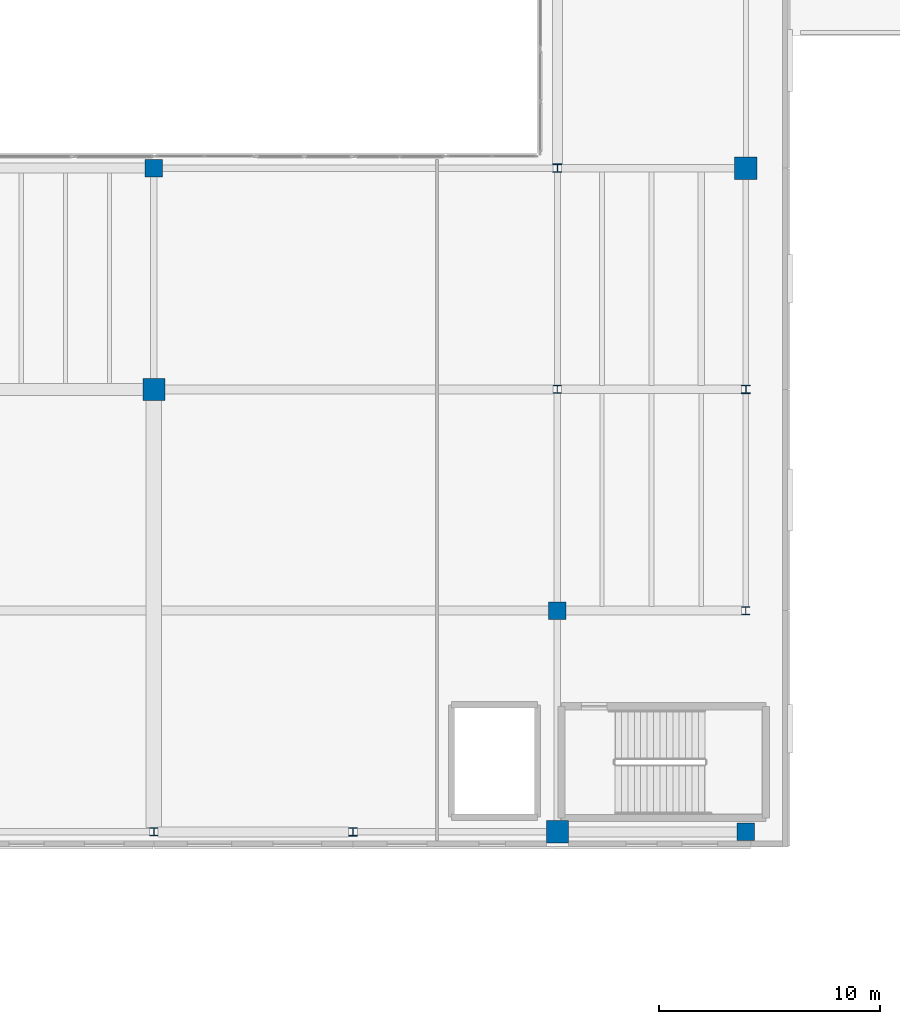
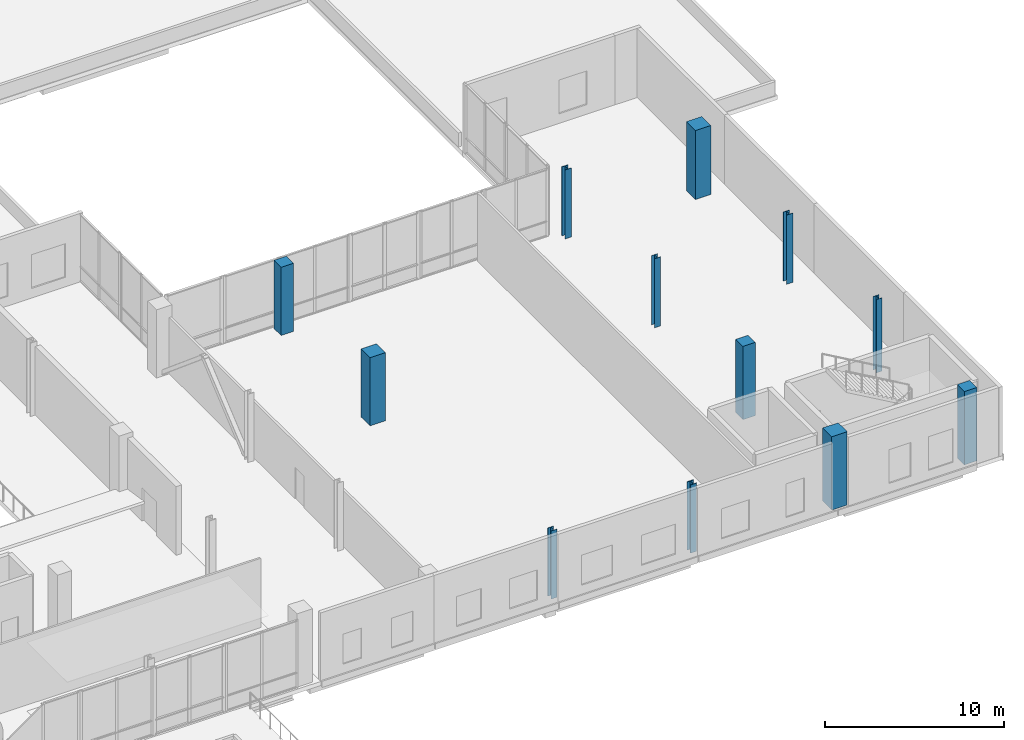
# One storey, part 9 of 60: 12 columns.
"""IFC4 building model written with IfcOpenShell, lengths in metres."""

from ifc_helpers import new_model, si_unit, direction, frame, origin, origin_2d, place, context, subcontext, project, spatial, rectangle, i_section, extrude, material, material_profile, profile_set, type_object, element, save


model = new_model("IFC4")

# Units and contexts
model_context = context("Model", 3, precision=1e-05, world=origin(), true_north=direction((0.0, 1.0)))
body_context = subcontext(model_context, "Body", "Model", "MODEL_VIEW")
ifc_project = project(units=[si_unit("LENGTHUNIT", "METRE"), si_unit("AREAUNIT", "SQUARE_METRE"), si_unit("VOLUMEUNIT", "CUBIC_METRE"), si_unit("PLANEANGLEUNIT", "RADIAN"), si_unit("MASSUNIT", "GRAM", prefix="KILO")], contexts=[model_context])

# Site, building, storey
site_placement = place(None, origin())
site = spatial("IfcSite", under=ifc_project, at=site_placement, CompositionType="ELEMENT")
building_placement = place(site_placement, origin())
building = spatial("IfcBuilding", under=site, at=building_placement, Name="Trimount Lyric Opera House", CompositionType="ELEMENT")
storey_placement = place(building_placement, frame((0.0, 0.0, 15.0)))
storey = spatial("IfcBuildingStorey", under=building, at=storey_placement, Name="L03", CompositionType="ELEMENT", Elevation=15.0)

# Columns
ifc_material_1 = material(Name="Steel ASTM A992 Grade 50", Category="steel")
ifc_material_profile_1 = material_profile(ifc_material_1, i_section(OverallWidth=0.39892578125, OverallDepth=0.385986328125, WebThickness=0.02099609375, FlangeThickness=0.033203125, FilletRadius=0.01611328125, at=origin_2d()), Name="W14X176")
ifc_profile_set_1 = profile_set([ifc_material_profile_1], Name="Steel ASTM A992 Grade 50")
column_type_1 = type_object("IfcColumnType", Name="C-03", PredefinedType="COLUMN", material=ifc_profile_set_1)
column_1_placement = place(storey_placement, frame((139.0, 44.0, 0.0), z_axis=(0.0, 0.0, 1.0), x_axis=(1.0, 0.0, 0.0)))
element("IfcColumn", 1, at=column_1_placement, inside=storey, type_object=column_type_1, Name="L03 column 16/F", PredefinedType="COLUMN", context=body_context, shape_type="SweptSolid", body=[
    extrude(i_section(OverallWidth=0.39892578125, OverallDepth=0.385986328125, WebThickness=0.02099609375, FlangeThickness=0.033203125, FilletRadius=0.01611328125, at=origin_2d()), origin(), (0.0, 0.0, 1.0), 4.64990234375),
])
for number, where, z_axis, x_axis, name in (
    (2, (148.239990234375, 74.0, 0.0), (0.0, 0.0, 1.0), (1.0, 0.0, 0.0), "L03 column 17/J"),
    (3, (156.760009765625, 64.0, 0.0), (0.0, 0.0, 1.0), (1.0, 0.0, 0.0), "L03 column 18/H"),
):
    element("IfcColumn", number, at=place(storey_placement, frame(where, z_axis=z_axis, x_axis=x_axis)), inside=storey, type_object=column_type_1, Name=name, PredefinedType="COLUMN", context=body_context, shape_type="SweptSolid", body=[
        extrude(i_section(OverallWidth=0.39892578125, OverallDepth=0.385986328125, WebThickness=0.02099609375, FlangeThickness=0.033203125, FilletRadius=0.01611328125, at=origin_2d()), origin(), (0.0, 0.0, 1.0), 4.7099609375),
    ])
ifc_material_2 = material(Name="Steel ASTM A992 Grade 50", Category="steel")
ifc_material_profile_2 = material_profile(ifc_material_2, i_section(OverallWidth=0.373046875, OverallDepth=0.367919921875, WebThickness=0.014892578125, FlangeThickness=0.02392578125, FilletRadius=0.014892578125, at=origin_2d()), Name="W14X120")
ifc_profile_set_2 = profile_set([ifc_material_profile_2], Name="Steel ASTM A992 Grade 50")
column_type_2 = type_object("IfcColumnType", Name="C-08", PredefinedType="COLUMN", material=ifc_profile_set_2)
column_2_placement = place(storey_placement, frame((130.0, 44.0, 0.0), z_axis=(0.0, 0.0, 1.0), x_axis=(1.0, 0.0, 0.0)))
element("IfcColumn", 4, at=column_2_placement, inside=storey, type_object=column_type_2, Name="L03 column 15/F", PredefinedType="COLUMN", context=body_context, shape_type="SweptSolid", body=[
    extrude(i_section(OverallWidth=0.373046875, OverallDepth=0.367919921875, WebThickness=0.014892578125, FlangeThickness=0.02392578125, FilletRadius=0.014892578125, at=origin_2d()), origin(), (0.0, 0.0, 1.0), 4.64990234375),
])
column_3_placement = place(storey_placement, frame((148.239990234375, 64.0, 0.0), z_axis=(0.0, 0.0, 1.0), x_axis=(1.0, 0.0, 0.0)))
element("IfcColumn", 5, at=column_3_placement, inside=storey, type_object=column_type_2, Name="L03 column 17/H", PredefinedType="COLUMN", context=body_context, shape_type="SweptSolid", body=[
    extrude(i_section(OverallWidth=0.373046875, OverallDepth=0.367919921875, WebThickness=0.014892578125, FlangeThickness=0.02392578125, FilletRadius=0.014892578125, at=origin_2d()), origin(), (0.0, 0.0, 1.0), 4.7099609375),
])
column_4_placement = place(storey_placement, frame((156.760009765625, 54.0, 0.0), z_axis=(0.0, 0.0, 1.0), x_axis=(1.0, 0.0, 0.0)))
element("IfcColumn", 6, at=column_4_placement, inside=storey, type_object=column_type_2, Name="L03 column 18/G", PredefinedType="COLUMN", context=body_context, shape_type="SweptSolid", body=[
    extrude(i_section(OverallWidth=0.373046875, OverallDepth=0.367919921875, WebThickness=0.014892578125, FlangeThickness=0.02392578125, FilletRadius=0.014892578125, at=origin_2d()), origin(), (0.0, 0.0, 1.0), 5.0),
])
ifc_material_3 = material(Name="Concrete C50/60", Category="concrete")
ifc_material_profile_3 = material_profile(ifc_material_3, rectangle(XDim=1.0, YDim=1.0, at=origin_2d()), Name="RC1000X1000")
ifc_profile_set_3 = profile_set([ifc_material_profile_3], Name="Concrete C50/60")
column_type_3 = type_object("IfcColumnType", Name="C-12", PredefinedType="COLUMN", material=ifc_profile_set_3)
column_5_placement = place(storey_placement, frame((130.0, 64.0, 0.0), z_axis=(0.0, 0.0, 1.0), x_axis=(1.0, 0.0, 0.0)))
element("IfcColumn", 7, at=column_5_placement, inside=storey, type_object=column_type_3, Name="L03 column 15/H", PredefinedType="COLUMN", context=body_context, shape_type="SweptSolid", body=[
    extrude(rectangle(XDim=1.0, YDim=1.0, at=origin_2d()), origin(), (0.0, 0.0, 1.0), 4.64990234375),
])
column_6_placement = place(storey_placement, frame((148.239990234375, 44.0, 0.0), z_axis=(0.0, 0.0, 1.0), x_axis=(1.0, 0.0, 0.0)))
element("IfcColumn", 8, at=column_6_placement, inside=storey, type_object=column_type_3, Name="L03 column 17/F", PredefinedType="COLUMN", context=body_context, shape_type="SweptSolid", body=[
    extrude(rectangle(XDim=1.0, YDim=1.0, at=origin_2d()), origin(), (0.0, 0.0, 1.0), 5.0),
])
column_7_placement = place(storey_placement, frame((156.760009765625, 74.0, 0.0), z_axis=(0.0, 0.0, 1.0), x_axis=(1.0, 0.0, 0.0)))
element("IfcColumn", 9, at=column_7_placement, inside=storey, type_object=column_type_3, Name="L03 column 18/J", PredefinedType="COLUMN", context=body_context, shape_type="SweptSolid", body=[
    extrude(rectangle(XDim=1.0, YDim=1.0, at=origin_2d()), origin(), (0.0, 0.0, 1.0), 4.7099609375),
])
ifc_material_4 = material(Name="Concrete C40/50", Category="concrete")
ifc_material_profile_4 = material_profile(ifc_material_4, rectangle(XDim=0.800048828125, YDim=0.800048828125, at=origin_2d()), Name="RC800X800")
ifc_profile_set_4 = profile_set([ifc_material_profile_4], Name="Concrete C40/50")
column_type_4 = type_object("IfcColumnType", Name="C-14", PredefinedType="COLUMN", material=ifc_profile_set_4)
column_8_placement = place(storey_placement, frame((130.0, 74.0, 0.0), z_axis=(0.0, 0.0, 1.0), x_axis=(1.0, 0.0, 0.0)))
element("IfcColumn", 10, at=column_8_placement, inside=storey, type_object=column_type_4, Name="L03 column 15/J", PredefinedType="COLUMN", context=body_context, shape_type="SweptSolid", body=[
    extrude(rectangle(XDim=0.800048828125, YDim=0.800048828125, at=origin_2d()), origin(), (0.0, 0.0, 1.0), 4.64990234375),
])
for number, where, z_axis, x_axis, name in (
    (11, (148.239990234375, 54.0, 0.0), (0.0, 0.0, 1.0), (1.0, 0.0, 0.0), "L03 column 17/G"),
    (12, (156.760009765625, 44.0, 0.0), (0.0, 0.0, 1.0), (1.0, 0.0, 0.0), "L03 column 18/F"),
):
    element("IfcColumn", number, at=place(storey_placement, frame(where, z_axis=z_axis, x_axis=x_axis)), inside=storey, type_object=column_type_4, Name=name, PredefinedType="COLUMN", context=body_context, shape_type="SweptSolid", body=[
        extrude(rectangle(XDim=0.800048828125, YDim=0.800048828125, at=origin_2d()), origin(), (0.0, 0.0, 1.0), 5.0),
    ])

save(model, "model.ifc")
